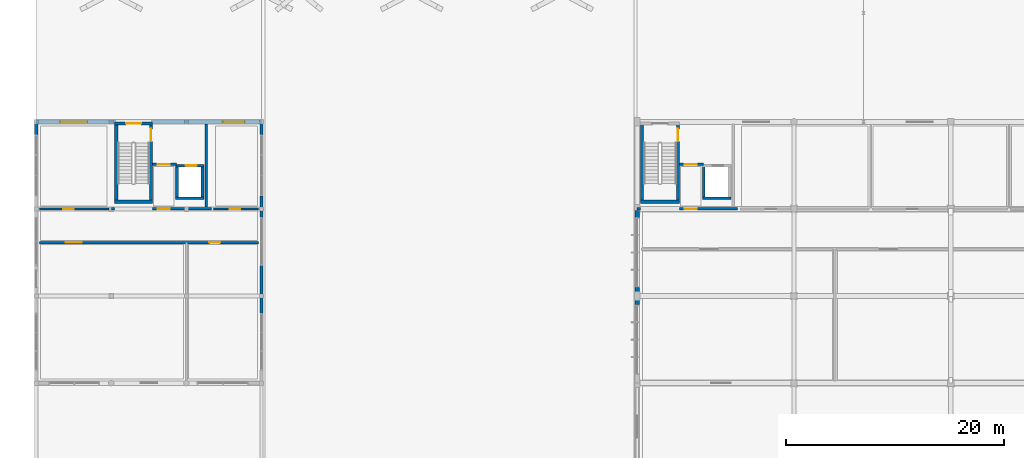
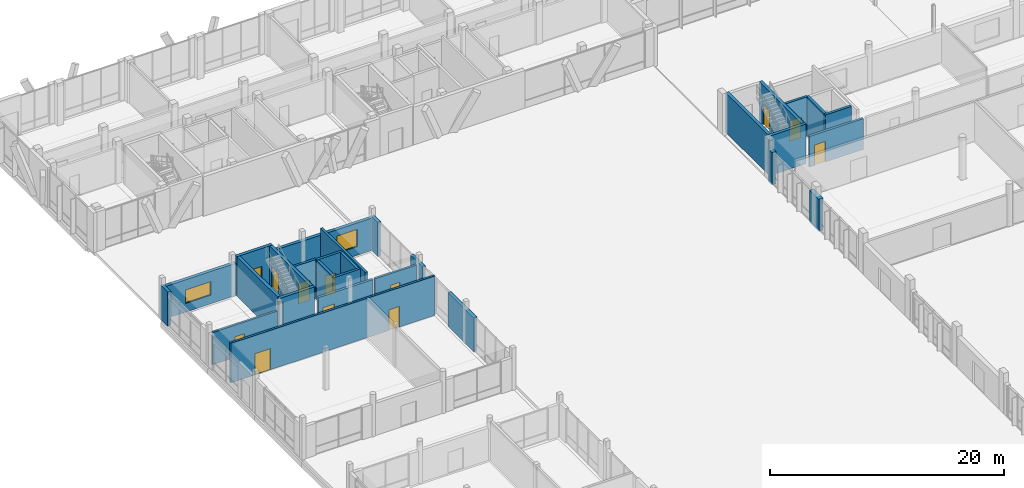
# One storey, part 196 of 233: 31 walls, 12 doors, 2 windows, 14 openings.
"""IFC4 building model written with IfcOpenShell, lengths in metres."""

from ifc_helpers import new_model, si_unit, direction, frame, frame_2d, origin, origin_with_axes, place, context, subcontext, project, spatial, rectangle, extrude, material, layer, layer_set, type_object, element, fill, save


model = new_model("IFC4")

# Units and contexts
model_context = context("Model", 3, precision=1e-05, world=origin(), true_north=direction((0.0, 1.0)))
body_context = subcontext(model_context, "Body", "Model", "MODEL_VIEW")
ifc_project = project(units=[si_unit("LENGTHUNIT", "METRE"), si_unit("AREAUNIT", "SQUARE_METRE"), si_unit("VOLUMEUNIT", "CUBIC_METRE"), si_unit("PLANEANGLEUNIT", "RADIAN"), si_unit("MASSUNIT", "GRAM", prefix="KILO")], contexts=[model_context])

# Site, building, storey
site_placement = place(None, origin())
site = spatial("IfcSite", under=ifc_project, at=site_placement, CompositionType="ELEMENT")
building_placement = place(site_placement, origin())
building = spatial("IfcBuilding", under=site, at=building_placement, Name="Zavelmont Quarter", CompositionType="ELEMENT")
storey_placement = place(building_placement, origin())
storey = spatial("IfcBuildingStorey", under=building, at=storey_placement, Name="L00", CompositionType="ELEMENT", Elevation=0.0)

# Walls
ifc_material_1 = material(Name="Natural Belgian limestone", Category="masonry")
ifc_layer_1 = layer(ifc_material_1, 0.419921875)
ifc_layer_set_1 = layer_set([ifc_layer_1], Name="Natural Belgian limestone")
wall_type_1 = type_object("IfcWallType", Name="EW04", PredefinedType="STANDARD", material=ifc_layer_set_1)
wall_1_placement = place(storey_placement, frame((55.199951171875, 69.199951171875, 0.0), z_axis=(0.0, 0.0, 1.0), x_axis=(0.0, 1.0, 0.0)))
element("IfcWall", 1, at=wall_1_placement, inside=storey, type_object=wall_type_1, Name="L00 exterior limestone wall EW04", PredefinedType="STANDARD", context=body_context, shape_type="SweptSolid", body=[
    extrude(rectangle(XDim=1.60009765625, YDim=0.419921875, at=frame_2d((0.800048828125, 0.0))), origin(), (0.0, 0.0, 1.0), 3.360107421875),
])
wall_2_placement = place(storey_placement, frame((55.199951171875, 77.199951171875, 0.0), z_axis=(0.0, 0.0, 1.0), x_axis=(0.0, 1.0, 0.0)))
element("IfcWall", 2, at=wall_2_placement, inside=storey, type_object=wall_type_1, Name="L00 exterior limestone wall EW04", PredefinedType="STANDARD", context=body_context, shape_type="SweptSolid", body=[
    extrude(rectangle(XDim=0.650146484375, YDim=0.419921875, at=frame_2d((0.3251953125, 0.0))), origin(), (0.0, 0.0, 1.0), 3.360107421875),
])
ifc_layer_2 = layer(ifc_material_1, 0.31005859375)
ifc_layer_set_2 = layer_set([ifc_layer_2], Name="Natural Belgian limestone")
wall_type_2 = type_object("IfcWallType", Name="EW06", PredefinedType="STANDARD", material=ifc_layer_set_2)
wall_3_placement = place(storey_placement, frame((0.0, 84.800048828125, 0.0), z_axis=(0.0, 0.0, 1.0), x_axis=(0.0, 1.0, 0.0)))
element("IfcWall", 3, at=wall_3_placement, inside=storey, type_object=wall_type_2, Name="L00 exterior limestone wall EW06", PredefinedType="STANDARD", context=body_context, shape_type="SweptSolid", body=[
    extrude(rectangle(XDim=1.199951171875, YDim=0.31005859375, at=frame_2d((0.60009765625, 0.0))), origin(), (0.0, 0.0, 1.0), 3.56005859375),
])
wall_4_placement = place(storey_placement, frame((20.699951171875, 68.39990234375, 0.0), z_axis=(0.0, 0.0, 1.0), x_axis=(0.0, 1.0, 0.0)))
element("IfcWall", 4, at=wall_4_placement, inside=storey, type_object=wall_type_2, Name="L00 exterior limestone wall EW06", PredefinedType="STANDARD", context=body_context, shape_type="SweptSolid", body=[
    extrude(rectangle(XDim=4.400146484375, YDim=0.31005859375, at=frame_2d((2.2001953125, 0.0))), origin(), (0.0, 0.0, 1.0), 3.56005859375),
])
wall_5_placement = place(storey_placement, frame((20.699951171875, 77.199951171875, 0.0), z_axis=(0.0, 0.0, 1.0), x_axis=(0.0, 1.0, 0.0)))
element("IfcWall", 5, at=wall_5_placement, inside=storey, type_object=wall_type_2, Name="L00 exterior limestone wall EW06", PredefinedType="STANDARD", context=body_context, shape_type="SweptSolid", body=[
    extrude(rectangle(XDim=2.0, YDim=0.31005859375, at=frame_2d((1.0, 0.0))), origin(), (0.0, 0.0, 1.0), 3.56005859375),
])
wall_6_placement = place(storey_placement, frame((20.699951171875, 84.800048828125, 0.0), z_axis=(0.0, 0.0, 1.0), x_axis=(0.0, 1.0, 0.0)))
element("IfcWall", 6, at=wall_6_placement, inside=storey, type_object=wall_type_2, Name="L00 exterior limestone wall EW06", PredefinedType="STANDARD", context=body_context, shape_type="SweptSolid", body=[
    extrude(rectangle(XDim=1.199951171875, YDim=0.31005859375, at=frame_2d((0.60009765625, 0.0))), origin(), (0.0, 0.0, 1.0), 3.56005859375),
])

# Wall, opening, window
wall_7_placement = place(storey_placement, frame((0.0, 86.0, 0.0), z_axis=(0.0, 0.0, 1.0), x_axis=(1.0, 0.0, 0.0)))
wall_7 = element("IfcWall", 7, at=wall_7_placement, inside=storey, type_object=wall_type_2, Name="L00 exterior limestone wall EW06", PredefinedType="STANDARD", context=body_context, shape_type="SweptSolid", body=[
    extrude(rectangle(XDim=7.35009765625, YDim=0.31005859375, at=frame_2d((3.675048828125, 0.0))), origin(), (0.0, 0.0, 1.0), 3.360107421875),
])
opening_1_placement = place(wall_7_placement, frame((2.199951171875, 0.0, 0.89990234375)))
opening_1 = element("IfcOpeningElement", 8, at=opening_1_placement, cuts=wall_7, Name="Opening WN18", PredefinedType="OPENING", context=body_context, shape_type="SweptSolid", body=[
    extrude(rectangle(XDim=2.5, YDim=1.39990234375, at=frame_2d((1.25, 0.699951171875))), frame((0.0, 0.1669921875, 0.0), z_axis=(0.0, -1.0, 0.0), x_axis=(1.0, 0.0, 0.0)), (0.0, 0.0, 1.0), 0.333984375),
])
ifc_material_2 = material(Name="Double low-E insulated glazing in thermally broken aluminium frame", Category="aluminium")
window_type_1 = type_object("IfcWindowType", Name="WN18", PartitioningType="SINGLE_PANEL", PredefinedType="WINDOW", material=ifc_material_2)
window_1_placement = place(opening_1_placement, origin_with_axes())
window_1 = element("IfcWindow", 9, at=window_1_placement, inside=storey, type_object=window_type_1, Name="L00 window WN18", OverallHeight=1.39990234375, OverallWidth=2.5, PartitioningType="SINGLE_PANEL", PredefinedType="WINDOW", context=body_context, shape_type="SweptSolid", body=[
    extrude(rectangle(XDim=2.5, YDim=1.39990234375, at=frame_2d((1.25, 0.699951171875))), frame((0.0, 0.030029296875, 0.0), z_axis=(0.0, -1.0, 0.0), x_axis=(1.0, 0.0, 0.0)), (0.0, 0.0, 1.0), 0.06005859375),
])
fill(opening_1, window_1)

wall_8_placement = place(storey_placement, frame((10.550048828125, 86.0, 0.0), z_axis=(0.0, 0.0, 1.0), x_axis=(1.0, 0.0, 0.0)))
wall_8 = element("IfcWall", 10, at=wall_8_placement, inside=storey, type_object=wall_type_2, Name="L00 exterior limestone wall EW06", PredefinedType="STANDARD", context=body_context, shape_type="SweptSolid", body=[
    extrude(rectangle(XDim=10.14990234375, YDim=0.31005859375, at=frame_2d((5.074951171875, 0.0))), origin(), (0.0, 0.0, 1.0), 3.360107421875),
])
opening_2_placement = place(wall_8_placement, frame((6.60009765625, 0.0, 0.89990234375)))
opening_2 = element("IfcOpeningElement", 11, at=opening_2_placement, cuts=wall_8, Name="Opening WN10", PredefinedType="OPENING", context=body_context, shape_type="SweptSolid", body=[
    extrude(rectangle(XDim=2.0, YDim=1.800048828125, at=frame_2d((1.0, 0.89990234375))), frame((0.0, 0.1669921875, 0.0), z_axis=(0.0, -1.0, 0.0), x_axis=(1.0, 0.0, 0.0)), (0.0, 0.0, 1.0), 0.333984375),
])
window_type_2 = type_object("IfcWindowType", Name="WN10", PartitioningType="SINGLE_PANEL", PredefinedType="WINDOW", material=ifc_material_2)
window_2_placement = place(opening_2_placement, origin_with_axes())
window_2 = element("IfcWindow", 12, at=window_2_placement, inside=storey, type_object=window_type_2, Name="L00 window WN10", OverallHeight=1.800048828125, OverallWidth=2.0, PartitioningType="SINGLE_PANEL", PredefinedType="WINDOW", context=body_context, shape_type="SweptSolid", body=[
    extrude(rectangle(XDim=2.0, YDim=1.800048828125, at=frame_2d((1.0, 0.89990234375))), frame((0.0, 0.030029296875, 0.0), z_axis=(0.0, -1.0, 0.0), x_axis=(1.0, 0.0, 0.0)), (0.0, 0.0, 1.0), 0.06005859375),
])
fill(opening_2, window_2)

# Wall, openings, doors
ifc_material_3 = material(Name="Calcium-silicate blockwork and acoustic plaster", Category="masonry")
ifc_layer_3 = layer(ifc_material_3, 0.199951171875)
ifc_layer_set_3 = layer_set([ifc_layer_3], Name="Calcium-silicate blockwork and acoustic plaster")
wall_type_3 = type_object("IfcWallType", Name="IW01", PredefinedType="PARTITIONING", material=ifc_layer_set_3)
wall_9_placement = place(storey_placement, frame((0.300048828125, 74.89990234375, 0.0), z_axis=(0.0, 0.0, 1.0), x_axis=(1.0, 0.0, 0.0)))
wall_9 = element("IfcWall", 13, at=wall_9_placement, inside=storey, type_object=wall_type_3, Name="L00 Interior partition IW01", PredefinedType="PARTITIONING", context=body_context, shape_type="SweptSolid", body=[
    extrude(rectangle(XDim=20.099853515625, YDim=0.199951171875, at=frame_2d((10.0498046875, 0.0))), origin(), (0.0, 0.0, 1.0), 4.1201171875),
])
opening_3_placement = place(wall_9_placement, frame((2.39990234375, 0.0, 0.0)))
opening_3 = element("IfcOpeningElement", 14, at=opening_3_placement, cuts=wall_9, Name="Opening DR13", PredefinedType="OPENING", context=body_context, shape_type="SweptSolid", body=[
    extrude(rectangle(XDim=1.5, YDim=2.199951171875, at=frame_2d((0.75, 1.10009765625))), frame((0.0, 0.11181640625, 0.0), z_axis=(0.0, -1.0, 0.0), x_axis=(1.0, 0.0, 0.0)), (0.0, 0.0, 1.0), 0.223876953125),
])
opening_4_placement = place(wall_9_placement, frame((15.60009765625, 0.0, 0.0)))
opening_4 = element("IfcOpeningElement", 15, at=opening_4_placement, cuts=wall_9, Name="Opening DR07", PredefinedType="OPENING", context=body_context, shape_type="SweptSolid", body=[
    extrude(rectangle(XDim=1.0, YDim=2.14990234375, at=frame_2d((0.5, 1.074951171875))), frame((0.0, 0.11181640625, 0.0), z_axis=(0.0, -1.0, 0.0), x_axis=(1.0, 0.0, 0.0)), (0.0, 0.0, 1.0), 0.223876953125),
])
ifc_material_4 = material(Name="Solid-core oak fire leaf in steel frame", Category="steel")
door_type_1 = type_object("IfcDoorType", Name="DR07", OperationType="NOTDEFINED", PredefinedType="DOOR", material=ifc_material_4)
door_1_placement = place(opening_4_placement, frame((1.0, 0.0, 0.0), z_axis=(0.0, 0.0, 1.0), x_axis=(-1.0, 0.0, 0.0)))
door_1 = element("IfcDoor", 16, at=door_1_placement, inside=storey, type_object=door_type_1, Name="L00 door DR07", OperationType="SINGLE_SWING_LEFT", OverallHeight=2.14990234375, OverallWidth=1.0, PredefinedType="DOOR", context=body_context, shape_type="SweptSolid", body=[
    extrude(rectangle(XDim=1.0, YDim=2.14990234375, at=frame_2d((0.5, 1.074951171875))), frame((0.0, 0.02490234375, 0.0), z_axis=(0.0, -1.0, 0.0), x_axis=(1.0, 0.0, 0.0)), (0.0, 0.0, 1.0), 0.050048828125),
])
fill(opening_4, door_1)
ifc_material_5 = material(Name="Glazed oak acoustic fire door pair")
door_type_2 = type_object("IfcDoorType", Name="DR13", OperationType="DOUBLE_DOOR_SINGLE_SWING", PredefinedType="DOOR", material=ifc_material_5)
door_2_placement = place(opening_3_placement, origin_with_axes())
door_2 = element("IfcDoor", 17, at=door_2_placement, inside=storey, type_object=door_type_2, Name="L00 door DR13", OperationType="DOUBLE_DOOR_SINGLE_SWING", OverallHeight=2.199951171875, OverallWidth=1.5, PredefinedType="DOOR", context=body_context, shape_type="SweptSolid", body=[
    extrude(rectangle(XDim=1.5, YDim=2.199951171875, at=frame_2d((0.75, 1.10009765625))), frame((0.0, 0.02490234375, 0.0), z_axis=(0.0, -1.0, 0.0), x_axis=(1.0, 0.0, 0.0)), (0.0, 0.0, 1.0), 0.050048828125),
])
fill(opening_3, door_2)

# Wall, opening, door
wall_10_placement = place(storey_placement, frame((0.300048828125, 78.0, 0.0), z_axis=(0.0, 0.0, 1.0), x_axis=(1.0, 0.0, 0.0)))
wall_10 = element("IfcWall", 18, at=wall_10_placement, inside=storey, type_object=wall_type_3, Name="L00 Interior partition IW01", PredefinedType="PARTITIONING", context=body_context, shape_type="SweptSolid", body=[
    extrude(rectangle(XDim=6.39990234375, YDim=0.199951171875, at=frame_2d((3.199951171875, 0.0))), origin(), (0.0, 0.0, 1.0), 3.360107421875),
])
opening_5_placement = place(wall_10_placement, frame((2.199951171875, 0.0, 0.0)))
opening_5 = element("IfcOpeningElement", 19, at=opening_5_placement, cuts=wall_10, Name="Opening DR02", PredefinedType="OPENING", context=body_context, shape_type="SweptSolid", body=[
    extrude(rectangle(XDim=0.949951171875, YDim=2.14990234375, at=frame_2d((0.47509765625, 1.074951171875))), frame((0.0, 0.11181640625, 0.0), z_axis=(0.0, -1.0, 0.0), x_axis=(1.0, 0.0, 0.0)), (0.0, 0.0, 1.0), 0.223876953125),
])
door_type_3 = type_object("IfcDoorType", Name="DR02", OperationType="NOTDEFINED", PredefinedType="DOOR", material=ifc_material_4)
door_3_placement = place(opening_5_placement, origin_with_axes())
door_3 = element("IfcDoor", 20, at=door_3_placement, inside=storey, type_object=door_type_3, Name="L00 door DR02", OperationType="SINGLE_SWING_LEFT", OverallHeight=2.14990234375, OverallWidth=0.949951171875, PredefinedType="DOOR", context=body_context, shape_type="SweptSolid", body=[
    extrude(rectangle(XDim=0.949951171875, YDim=2.14990234375, at=frame_2d((0.47509765625, 1.074951171875))), frame((0.0, 0.02490234375, 0.0), z_axis=(0.0, -1.0, 0.0), x_axis=(1.0, 0.0, 0.0)), (0.0, 0.0, 1.0), 0.050048828125),
])
fill(opening_5, door_3)

wall_11_placement = place(storey_placement, frame((16.300048828125, 78.0, 0.0), z_axis=(0.0, 0.0, 1.0), x_axis=(1.0, 0.0, 0.0)))
wall_11 = element("IfcWall", 21, at=wall_11_placement, inside=storey, type_object=wall_type_3, Name="L00 Interior partition IW01", PredefinedType="PARTITIONING", context=body_context, shape_type="SweptSolid", body=[
    extrude(rectangle(XDim=4.099853515625, YDim=0.199951171875, at=frame_2d((2.0498046875, 0.0))), origin(), (0.0, 0.0, 1.0), 3.360107421875),
])
opening_6_placement = place(wall_11_placement, frame((1.5, 0.0, 0.0)))
opening_6 = element("IfcOpeningElement", 22, at=opening_6_placement, cuts=wall_11, Name="Opening DR02", PredefinedType="OPENING", context=body_context, shape_type="SweptSolid", body=[
    extrude(rectangle(XDim=0.949951171875, YDim=2.14990234375, at=frame_2d((0.47509765625, 1.074951171875))), frame((0.0, 0.11181640625, 0.0), z_axis=(0.0, -1.0, 0.0), x_axis=(1.0, 0.0, 0.0)), (0.0, 0.0, 1.0), 0.223876953125),
])
door_4_placement = place(opening_6_placement, frame((0.949951171875, 0.0, 0.0), z_axis=(0.0, 0.0, 1.0), x_axis=(-1.0, 0.0, 0.0)))
door_4 = element("IfcDoor", 23, at=door_4_placement, inside=storey, type_object=door_type_3, Name="L00 door DR02", OperationType="SINGLE_SWING_RIGHT", OverallHeight=2.14990234375, OverallWidth=0.949951171875, PredefinedType="DOOR", context=body_context, shape_type="SweptSolid", body=[
    extrude(rectangle(XDim=0.949951171875, YDim=2.14990234375, at=frame_2d((0.47509765625, 1.074951171875))), frame((0.0, 0.02490234375, 0.0), z_axis=(0.0, -1.0, 0.0), x_axis=(1.0, 0.0, 0.0)), (0.0, 0.0, 1.0), 0.050048828125),
])
fill(opening_6, door_4)

ifc_material_6 = material(Name="Reinforced masonry fire compartment wall", Category="masonry")
ifc_layer_4 = layer(ifc_material_6, 0.22509765625)
ifc_layer_set_4 = layer_set([ifc_layer_4], Name="Reinforced masonry fire compartment wall")
wall_type_4 = type_object("IfcWallType", Name="IW02", PredefinedType="PARTITIONING", material=ifc_layer_set_4)
wall_12_placement = place(storey_placement, frame((59.10009765625, 82.10009765625, 0.0), z_axis=(0.0, 0.0, 1.0), x_axis=(1.0, 0.0, 0.0)))
wall_12 = element("IfcWall", 24, at=wall_12_placement, inside=storey, type_object=wall_type_4, Name="L00 Firefighting lobby threshold wall IW02", PredefinedType="PARTITIONING", context=body_context, shape_type="SweptSolid", body=[
    extrude(rectangle(XDim=2.199951171875, YDim=0.22509765625, at=frame_2d((1.10009765625, 0.0))), origin(), (0.0, 0.0, 1.0), 4.1201171875),
])
opening_7_placement = place(wall_12_placement, frame((0.449951171875, 0.0, 0.0)))
opening_7 = element("IfcOpeningElement", 25, at=opening_7_placement, cuts=wall_12, Name="Opening DR10", PredefinedType="OPENING", context=body_context, shape_type="SweptSolid", body=[
    extrude(rectangle(XDim=1.10009765625, YDim=2.14990234375, at=frame_2d((0.550048828125, 1.074951171875))), frame((0.0, 0.12451171875, 0.0), z_axis=(0.0, -1.0, 0.0), x_axis=(1.0, 0.0, 0.0)), (0.0, 0.0, 1.0), 0.2490234375),
])
ifc_material_7 = material(Name="Painted steel lobby fire door", Category="steel")
door_type_4 = type_object("IfcDoorType", Name="DR10", OperationType="NOTDEFINED", PredefinedType="DOOR", material=ifc_material_7)
door_5_placement = place(opening_7_placement, origin_with_axes())
door_5 = element("IfcDoor", 26, at=door_5_placement, inside=storey, type_object=door_type_4, Name="Firefighting lobby fire door", OperationType="SINGLE_SWING_RIGHT", OverallHeight=2.14990234375, OverallWidth=1.10009765625, PredefinedType="DOOR", context=body_context, shape_type="SweptSolid", body=[
    extrude(rectangle(XDim=1.10009765625, YDim=2.14990234375, at=frame_2d((0.550048828125, 1.074951171875))), frame((0.0, 0.02490234375, 0.0), z_axis=(0.0, -1.0, 0.0), x_axis=(1.0, 0.0, 0.0)), (0.0, 0.0, 1.0), 0.050048828125),
])
fill(opening_7, door_5)

# Wall
wall_13_placement = place(storey_placement, frame((55.199951171875, 78.0, 0.0), z_axis=(0.0, 0.0, 1.0), x_axis=(1.0, 0.0, 0.0)))
element("IfcWall", 27, at=wall_13_placement, inside=storey, type_object=wall_type_4, Name="L00 Core corridor wall IW02", PredefinedType="PARTITIONING", context=body_context, shape_type="SweptSolid", body=[
    extrude(rectangle(XDim=0.300048828125, YDim=0.22509765625, at=frame_2d((0.14990234375, 0.0))), origin(), (0.0, 0.0, 1.0), 4.1201171875),
])

# Wall, opening, door
wall_14_placement = place(storey_placement, frame((59.10009765625, 78.0, 0.0), z_axis=(0.0, 0.0, 1.0), x_axis=(1.0, 0.0, 0.0)))
wall_14 = element("IfcWall", 28, at=wall_14_placement, inside=storey, type_object=wall_type_4, Name="L00 Core corridor fire wall IW02", PredefinedType="PARTITIONING", context=body_context, shape_type="SweptSolid", body=[
    extrude(rectangle(XDim=5.2998046875, YDim=0.22509765625, at=frame_2d((2.64990234375, 0.0))), origin(), (0.0, 0.0, 1.0), 3.2099609375),
])
opening_8_placement = place(wall_14_placement, frame((0.47509765625, 0.0, 0.0)))
opening_8 = element("IfcOpeningElement", 29, at=opening_8_placement, cuts=wall_14, Name="Opening DR10", PredefinedType="OPENING", context=body_context, shape_type="SweptSolid", body=[
    extrude(rectangle(XDim=1.10009765625, YDim=2.14990234375, at=frame_2d((0.550048828125, 1.074951171875))), frame((0.0, 0.12451171875, 0.0), z_axis=(0.0, -1.0, 0.0), x_axis=(1.0, 0.0, 0.0)), (0.0, 0.0, 1.0), 0.2490234375),
])
door_6_placement = place(opening_8_placement, origin_with_axes())
door_6 = element("IfcDoor", 30, at=door_6_placement, inside=storey, type_object=door_type_4, Name="Core vestibule fire door", OperationType="SINGLE_SWING_LEFT", OverallHeight=2.14990234375, OverallWidth=1.10009765625, PredefinedType="DOOR", context=body_context, shape_type="SweptSolid", body=[
    extrude(rectangle(XDim=1.10009765625, YDim=2.14990234375, at=frame_2d((0.550048828125, 1.074951171875))), frame((0.0, 0.02490234375, 0.0), z_axis=(0.0, -1.0, 0.0), x_axis=(1.0, 0.0, 0.0)), (0.0, 0.0, 1.0), 0.050048828125),
])
fill(opening_8, door_6)

# Wall
wall_15_placement = place(storey_placement, frame((15.610107421875, 78.199951171875, 0.0), z_axis=(0.0, 0.0, 1.0), x_axis=(0.0, 1.0, 0.0)))
element("IfcWall", 31, at=wall_15_placement, inside=storey, type_object=wall_type_4, Name="L00 Firefighting lobby enclosure wall IW02", PredefinedType="PARTITIONING", context=body_context, shape_type="SweptSolid", body=[
    extrude(rectangle(XDim=7.60009765625, YDim=0.22509765625, at=frame_2d((3.800048828125, 0.0))), origin(), (0.0, 0.0, 1.0), 4.1201171875),
])

# Wall, opening, door
wall_16_placement = place(storey_placement, frame((10.699951171875, 82.10009765625, 0.0), z_axis=(0.0, 0.0, 1.0), x_axis=(1.0, 0.0, 0.0)))
wall_16 = element("IfcWall", 32, at=wall_16_placement, inside=storey, type_object=wall_type_4, Name="L00 Firefighting lobby threshold wall IW02", PredefinedType="PARTITIONING", context=body_context, shape_type="SweptSolid", body=[
    extrude(rectangle(XDim=2.199951171875, YDim=0.22509765625, at=frame_2d((1.10009765625, 0.0))), origin(), (0.0, 0.0, 1.0), 4.1201171875),
])
opening_9_placement = place(wall_16_placement, frame((0.449951171875, 0.0, 0.0)))
opening_9 = element("IfcOpeningElement", 33, at=opening_9_placement, cuts=wall_16, Name="Opening DR10", PredefinedType="OPENING", context=body_context, shape_type="SweptSolid", body=[
    extrude(rectangle(XDim=1.10009765625, YDim=2.14990234375, at=frame_2d((0.550048828125, 1.074951171875))), frame((0.0, 0.12451171875, 0.0), z_axis=(0.0, -1.0, 0.0), x_axis=(1.0, 0.0, 0.0)), (0.0, 0.0, 1.0), 0.2490234375),
])
door_7_placement = place(opening_9_placement, origin_with_axes())
door_7 = element("IfcDoor", 34, at=door_7_placement, inside=storey, type_object=door_type_4, Name="Firefighting lobby fire door", OperationType="SINGLE_SWING_LEFT", OverallHeight=2.14990234375, OverallWidth=1.10009765625, PredefinedType="DOOR", context=body_context, shape_type="SweptSolid", body=[
    extrude(rectangle(XDim=1.10009765625, YDim=2.14990234375, at=frame_2d((0.550048828125, 1.074951171875))), frame((0.0, 0.02490234375, 0.0), z_axis=(0.0, -1.0, 0.0), x_axis=(1.0, 0.0, 0.0)), (0.0, 0.0, 1.0), 0.050048828125),
])
fill(opening_9, door_7)

# Wall
wall_17_placement = place(storey_placement, frame((6.89990234375, 78.0, 0.0), z_axis=(0.0, 0.0, 1.0), x_axis=(1.0, 0.0, 0.0)))
element("IfcWall", 35, at=wall_17_placement, inside=storey, type_object=wall_type_4, Name="L00 Core corridor wall IW02", PredefinedType="PARTITIONING", context=body_context, shape_type="SweptSolid", body=[
    extrude(rectangle(XDim=0.300048828125, YDim=0.22509765625, at=frame_2d((0.14990234375, 0.0))), origin(), (0.0, 0.0, 1.0), 4.1201171875),
])

# Wall, opening, door
wall_18_placement = place(storey_placement, frame((10.699951171875, 78.0, 0.0), z_axis=(0.0, 0.0, 1.0), x_axis=(1.0, 0.0, 0.0)))
wall_18 = element("IfcWall", 36, at=wall_18_placement, inside=storey, type_object=wall_type_4, Name="L00 Core corridor fire wall IW02", PredefinedType="PARTITIONING", context=body_context, shape_type="SweptSolid", body=[
    extrude(rectangle(XDim=5.400146484375, YDim=0.22509765625, at=frame_2d((2.7001953125, 0.0))), origin(), (0.0, 0.0, 1.0), 3.360107421875),
])
opening_10_placement = place(wall_18_placement, frame((0.47509765625, 0.0, 0.0)))
opening_10 = element("IfcOpeningElement", 37, at=opening_10_placement, cuts=wall_18, Name="Opening DR10", PredefinedType="OPENING", context=body_context, shape_type="SweptSolid", body=[
    extrude(rectangle(XDim=1.10009765625, YDim=2.14990234375, at=frame_2d((0.550048828125, 1.074951171875))), frame((0.0, 0.12451171875, 0.0), z_axis=(0.0, -1.0, 0.0), x_axis=(1.0, 0.0, 0.0)), (0.0, 0.0, 1.0), 0.2490234375),
])
door_8_placement = place(opening_10_placement, origin_with_axes())
door_8 = element("IfcDoor", 38, at=door_8_placement, inside=storey, type_object=door_type_4, Name="Core vestibule fire door", OperationType="SINGLE_SWING_RIGHT", OverallHeight=2.14990234375, OverallWidth=1.10009765625, PredefinedType="DOOR", context=body_context, shape_type="SweptSolid", body=[
    extrude(rectangle(XDim=1.10009765625, YDim=2.14990234375, at=frame_2d((0.550048828125, 1.074951171875))), frame((0.0, 0.02490234375, 0.0), z_axis=(0.0, -1.0, 0.0), x_axis=(1.0, 0.0, 0.0)), (0.0, 0.0, 1.0), 0.050048828125),
])
fill(opening_10, door_8)

# Walls
ifc_material_8 = material(Name="Concrete C40/50", Category="concrete")
ifc_layer_5 = layer(ifc_material_8, 0.300048828125)
ifc_layer_set_5 = layer_set([ifc_layer_5], Name="Concrete C40/50")
wall_type_5 = type_object("IfcWallType", Name="SW01", PredefinedType="SHEAR", material=ifc_layer_set_5)
wall_19_placement = place(storey_placement, frame((55.5, 78.64990234375, 0.0), z_axis=(0.0, 0.0, 1.0), x_axis=(1.0, 0.0, 0.0)))
element("IfcWall", 39, at=wall_19_placement, inside=storey, type_object=wall_type_5, Name="L00 ST09 corridor shear wall SW01", PredefinedType="SHEAR", context=body_context, shape_type="SweptSolid", body=[
    extrude(rectangle(XDim=3.60009765625, YDim=0.300048828125, at=frame_2d((1.800048828125, 0.0))), origin(), (0.0, 0.0, 1.0), 4.1201171875),
])
wall_20_placement = place(storey_placement, frame((55.64990234375, 78.5, 0.0), z_axis=(0.0, 0.0, 1.0), x_axis=(0.0, 1.0, 0.0)))
element("IfcWall", 40, at=wall_20_placement, inside=storey, type_object=wall_type_5, Name="L00 ST09 west shear wall SW01", PredefinedType="SHEAR", context=body_context, shape_type="SweptSolid", body=[
    extrude(rectangle(XDim=7.5, YDim=0.300048828125, at=frame_2d((3.75, 0.0))), origin(), (0.0, 0.0, 1.0), 4.1201171875),
])

# Wall, opening, door
wall_21_placement = place(storey_placement, frame((58.949951171875, 78.5, 0.0), z_axis=(0.0, 0.0, 1.0), x_axis=(0.0, 1.0, 0.0)))
wall_21 = element("IfcWall", 41, at=wall_21_placement, inside=storey, type_object=wall_type_5, Name="L00 ST09 lobby shear wall SW01", PredefinedType="SHEAR", context=body_context, shape_type="SweptSolid", body=[
    extrude(rectangle(XDim=7.5, YDim=0.300048828125, at=frame_2d((3.75, 0.0))), origin(), (0.0, 0.0, 1.0), 4.1201171875),
])
opening_11_placement = place(wall_21_placement, frame((5.699951171875, 0.0, 0.0)))
opening_11 = element("IfcOpeningElement", 42, at=opening_11_placement, cuts=wall_21, Name="Opening DR09", PredefinedType="OPENING", context=body_context, shape_type="SweptSolid", body=[
    extrude(rectangle(XDim=1.14990234375, YDim=2.14990234375, at=frame_2d((0.574951171875, 1.074951171875))), frame((0.0, 0.162109375, 0.0), z_axis=(0.0, -1.0, 0.0), x_axis=(1.0, 0.0, 0.0)), (0.0, 0.0, 1.0), 0.323974609375),
])
ifc_material_9 = material(Name="Painted steel stair-core fire door", Category="steel")
door_type_5 = type_object("IfcDoorType", Name="DR09", OperationType="NOTDEFINED", PredefinedType="DOOR", material=ifc_material_9)
door_9_placement = place(opening_11_placement, origin_with_axes())
door_9 = element("IfcDoor", 43, at=door_9_placement, inside=storey, type_object=door_type_5, Name="ST09 protected stair door", OperationType="SINGLE_SWING_LEFT", OverallHeight=2.14990234375, OverallWidth=1.14990234375, PredefinedType="DOOR", context=body_context, shape_type="SweptSolid", body=[
    extrude(rectangle(XDim=1.14990234375, YDim=2.14990234375, at=frame_2d((0.574951171875, 1.074951171875))), frame((0.0, 0.02490234375, 0.0), z_axis=(0.0, -1.0, 0.0), x_axis=(1.0, 0.0, 0.0)), (0.0, 0.0, 1.0), 0.050048828125),
])
fill(opening_11, door_9)

# Walls
wall_22_placement = place(storey_placement, frame((7.199951171875, 78.64990234375, 0.0), z_axis=(0.0, 0.0, 1.0), x_axis=(1.0, 0.0, 0.0)))
element("IfcWall", 44, at=wall_22_placement, inside=storey, type_object=wall_type_5, Name="L00 ST14 corridor shear wall SW01", PredefinedType="SHEAR", context=body_context, shape_type="SweptSolid", body=[
    extrude(rectangle(XDim=3.5, YDim=0.300048828125, at=frame_2d((1.75, 0.0))), origin(), (0.0, 0.0, 1.0), 4.1201171875),
])
wall_23_placement = place(storey_placement, frame((7.35009765625, 78.5, 0.0), z_axis=(0.0, 0.0, 1.0), x_axis=(0.0, 1.0, 0.0)))
element("IfcWall", 45, at=wall_23_placement, inside=storey, type_object=wall_type_5, Name="L00 ST14 west shear wall SW01", PredefinedType="SHEAR", context=body_context, shape_type="SweptSolid", body=[
    extrude(rectangle(XDim=7.5, YDim=0.300048828125, at=frame_2d((3.75, 0.0))), origin(), (0.0, 0.0, 1.0), 4.1201171875),
])

# Wall, opening, door
wall_24_placement = place(storey_placement, frame((10.550048828125, 78.5, 0.0), z_axis=(0.0, 0.0, 1.0), x_axis=(0.0, 1.0, 0.0)))
wall_24 = element("IfcWall", 46, at=wall_24_placement, inside=storey, type_object=wall_type_5, Name="L00 ST14 lobby shear wall SW01", PredefinedType="SHEAR", context=body_context, shape_type="SweptSolid", body=[
    extrude(rectangle(XDim=7.5, YDim=0.300048828125, at=frame_2d((3.75, 0.0))), origin(), (0.0, 0.0, 1.0), 4.1201171875),
])
opening_12_placement = place(wall_24_placement, frame((5.699951171875, 0.0, 0.0)))
opening_12 = element("IfcOpeningElement", 47, at=opening_12_placement, cuts=wall_24, Name="Opening DR09", PredefinedType="OPENING", context=body_context, shape_type="SweptSolid", body=[
    extrude(rectangle(XDim=1.14990234375, YDim=2.14990234375, at=frame_2d((0.574951171875, 1.074951171875))), frame((0.0, 0.162109375, 0.0), z_axis=(0.0, -1.0, 0.0), x_axis=(1.0, 0.0, 0.0)), (0.0, 0.0, 1.0), 0.323974609375),
])
door_10_placement = place(opening_12_placement, origin_with_axes())
door_10 = element("IfcDoor", 48, at=door_10_placement, inside=storey, type_object=door_type_5, Name="ST14 protected stair door", OperationType="SINGLE_SWING_LEFT", OverallHeight=2.14990234375, OverallWidth=1.14990234375, PredefinedType="DOOR", context=body_context, shape_type="SweptSolid", body=[
    extrude(rectangle(XDim=1.14990234375, YDim=2.14990234375, at=frame_2d((0.574951171875, 1.074951171875))), frame((0.0, 0.02490234375, 0.0), z_axis=(0.0, -1.0, 0.0), x_axis=(1.0, 0.0, 0.0)), (0.0, 0.0, 1.0), 0.050048828125),
])
fill(opening_12, door_10)

# Walls
ifc_layer_6 = layer(ifc_material_8, 0.25)
ifc_layer_set_6 = layer_set([ifc_layer_6], Name="Concrete C40/50")
wall_type_6 = type_object("IfcWallType", Name="SW02", PredefinedType="SHEAR", material=ifc_layer_set_6)
wall_25_placement = place(storey_placement, frame((61.199951171875, 78.97509765625, 0.0), z_axis=(0.0, 0.0, 1.0), x_axis=(1.0, 0.0, 0.0)))
element("IfcWall", 49, at=wall_25_placement, inside=storey, type_object=wall_type_6, Name="L00 Lift LF09 back shaft wall SW02", PredefinedType="SHEAR", context=body_context, shape_type="SweptSolid", body=[
    extrude(rectangle(XDim=2.60009765625, YDim=0.25, at=frame_2d((1.300048828125, 0.0))), origin(), (0.0, 0.0, 1.0), 4.1201171875),
])
wall_26_placement = place(storey_placement, frame((61.324951171875, 78.85009765625, 0.0), z_axis=(0.0, 0.0, 1.0), x_axis=(0.0, 1.0, 0.0)))
element("IfcWall", 50, at=wall_26_placement, inside=storey, type_object=wall_type_6, Name="L00 Lift LF09 west shaft wall SW02", PredefinedType="SHEAR", context=body_context, shape_type="SweptSolid", body=[
    extrude(rectangle(XDim=3.25, YDim=0.25, at=frame_2d((1.625, 0.0))), origin(), (0.0, 0.0, 1.0), 4.1201171875),
])

# Wall, opening, door
wall_27_placement = place(storey_placement, frame((12.800048828125, 81.97509765625, 0.0), z_axis=(0.0, 0.0, 1.0), x_axis=(1.0, 0.0, 0.0)))
wall_27 = element("IfcWall", 51, at=wall_27_placement, inside=storey, type_object=wall_type_6, Name="L00 Lift LF12 landing shaft wall SW02", PredefinedType="SHEAR", context=body_context, shape_type="SweptSolid", body=[
    extrude(rectangle(XDim=2.599853515625, YDim=0.25, at=frame_2d((1.2998046875, 0.0))), origin(), (0.0, 0.0, 1.0), 4.1201171875),
])
opening_13_placement = place(wall_27_placement, frame((0.925048828125, 0.0, 0.0)))
opening_13 = element("IfcOpeningElement", 52, at=opening_13_placement, cuts=wall_27, Name="Opening LD01", PredefinedType="OPENING", context=body_context, shape_type="SweptSolid", body=[
    extrude(rectangle(XDim=1.0, YDim=2.10009765625, at=frame_2d((0.5, 1.050048828125))), frame((0.0, 0.136962890625, 0.0), z_axis=(0.0, -1.0, 0.0), x_axis=(1.0, 0.0, 0.0)), (0.0, 0.0, 1.0), 0.27392578125),
])
ifc_material_10 = material(Name="Brushed stainless-steel automatic sliding landing door", Category="steel")
door_type_6 = type_object("IfcDoorType", Name="LD01", OperationType="SLIDING_TO_LEFT", PredefinedType="DOOR", material=ifc_material_10)
door_11_placement = place(opening_13_placement, origin_with_axes())
door_11 = element("IfcDoor", 53, at=door_11_placement, inside=storey, type_object=door_type_6, Name="Lift LF12 sliding landing door", OperationType="SLIDING_TO_LEFT", OverallHeight=2.10009765625, OverallWidth=1.0, PredefinedType="DOOR", context=body_context, shape_type="SweptSolid", body=[
    extrude(rectangle(XDim=1.0, YDim=2.10009765625, at=frame_2d((0.5, 1.050048828125))), frame((0.0, 0.02490234375, 0.0), z_axis=(0.0, -1.0, 0.0), x_axis=(1.0, 0.0, 0.0)), (0.0, 0.0, 1.0), 0.050048828125),
])
fill(opening_13, door_11)

# Walls
wall_28_placement = place(storey_placement, frame((12.800048828125, 78.97509765625, 0.0), z_axis=(0.0, 0.0, 1.0), x_axis=(1.0, 0.0, 0.0)))
element("IfcWall", 54, at=wall_28_placement, inside=storey, type_object=wall_type_6, Name="L00 Lift LF12 back shaft wall SW02", PredefinedType="SHEAR", context=body_context, shape_type="SweptSolid", body=[
    extrude(rectangle(XDim=2.599853515625, YDim=0.25, at=frame_2d((1.2998046875, 0.0))), origin(), (0.0, 0.0, 1.0), 4.1201171875),
])
for number, where, z_axis, x_axis, name in (
    (55, (12.925048828125, 78.85009765625, 0.0), (0.0, 0.0, 1.0), (0.0, 1.0, 0.0), "L00 Lift LF12 west shaft wall SW02"),
    (56, (15.27490234375, 78.85009765625, 0.0), (0.0, 0.0, 1.0), (0.0, 1.0, 0.0), "L00 Lift LF12 east shaft wall SW02"),
):
    element("IfcWall", number, at=place(storey_placement, frame(where, z_axis=z_axis, x_axis=x_axis)), inside=storey, type_object=wall_type_6, Name=name, PredefinedType="SHEAR", context=body_context, shape_type="SweptSolid", body=[
        extrude(rectangle(XDim=3.25, YDim=0.25, at=frame_2d((1.625, 0.0))), origin(), (0.0, 0.0, 1.0), 4.1201171875),
    ])

# Wall, opening, door
ifc_layer_7 = layer(ifc_material_8, 0.300048828125)
ifc_layer_set_7 = layer_set([ifc_layer_7], Name="Concrete C40/50")
wall_type_7 = type_object("IfcWallType", Name="SW03", PredefinedType="SHEAR", material=ifc_layer_set_7)
wall_29_placement = place(storey_placement, frame((7.199951171875, 85.85009765625, 0.0), z_axis=(0.0, 0.0, 1.0), x_axis=(1.0, 0.0, 0.0)))
wall_29 = element("IfcWall", 57, at=wall_29_placement, inside=storey, type_object=wall_type_7, Name="L00 ST14 outer shear wall SW03", PredefinedType="SHEAR", context=body_context, shape_type="SweptSolid", body=[
    extrude(rectangle(XDim=3.5, YDim=0.300048828125, at=frame_2d((1.75, 0.0))), origin(), (0.0, 0.0, 1.0), 4.1201171875),
])
opening_14_placement = place(wall_29_placement, frame((1.050048828125, 0.0, 0.0)))
opening_14 = element("IfcOpeningElement", 58, at=opening_14_placement, cuts=wall_29, Name="Opening DR15", PredefinedType="OPENING", context=body_context, shape_type="SweptSolid", body=[
    extrude(rectangle(XDim=1.39990234375, YDim=2.25, at=frame_2d((0.699951171875, 1.125))), frame((0.0, 0.162109375, 0.0), z_axis=(0.0, -1.0, 0.0), x_axis=(1.0, 0.0, 0.0)), (0.0, 0.0, 1.0), 0.323974609375),
])
ifc_material_11 = material(Name="Powder-coated steel final-exit stair door", Category="steel")
door_type_7 = type_object("IfcDoorType", Name="DR15", OperationType="DOUBLE_DOOR_SINGLE_SWING", PredefinedType="DOOR", material=ifc_material_11)
door_12_placement = place(opening_14_placement, origin_with_axes())
door_12 = element("IfcDoor", 59, at=door_12_placement, inside=storey, type_object=door_type_7, Name="West Cafe North ST14 courtyard final exit door", OperationType="DOUBLE_DOOR_SINGLE_SWING", OverallHeight=2.25, OverallWidth=1.39990234375, PredefinedType="DOOR", context=body_context, shape_type="SweptSolid", body=[
    extrude(rectangle(XDim=1.39990234375, YDim=2.25, at=frame_2d((0.699951171875, 1.125))), frame((0.0, 0.02490234375, 0.0), z_axis=(0.0, -1.0, 0.0), x_axis=(1.0, 0.0, 0.0)), (0.0, 0.0, 1.0), 0.050048828125),
])
fill(opening_14, door_12)

save(model, "model.ifc")
